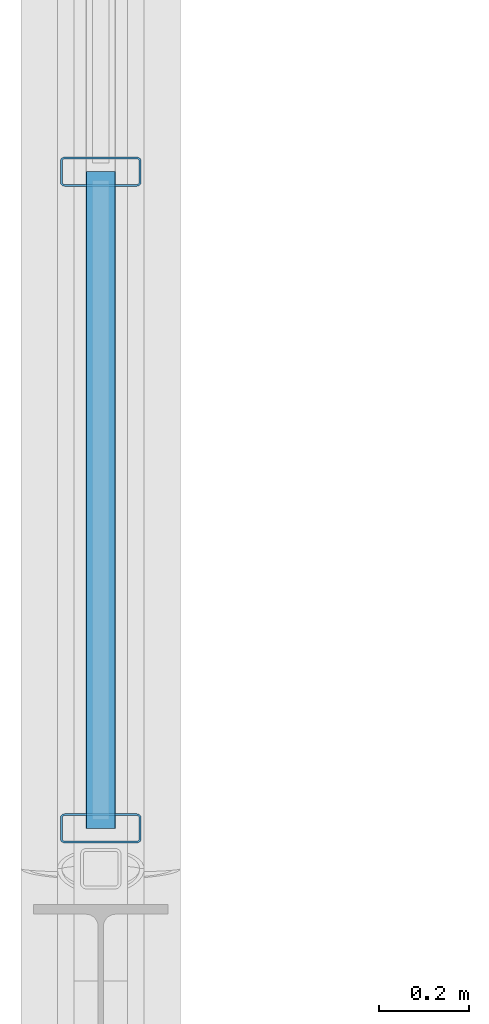
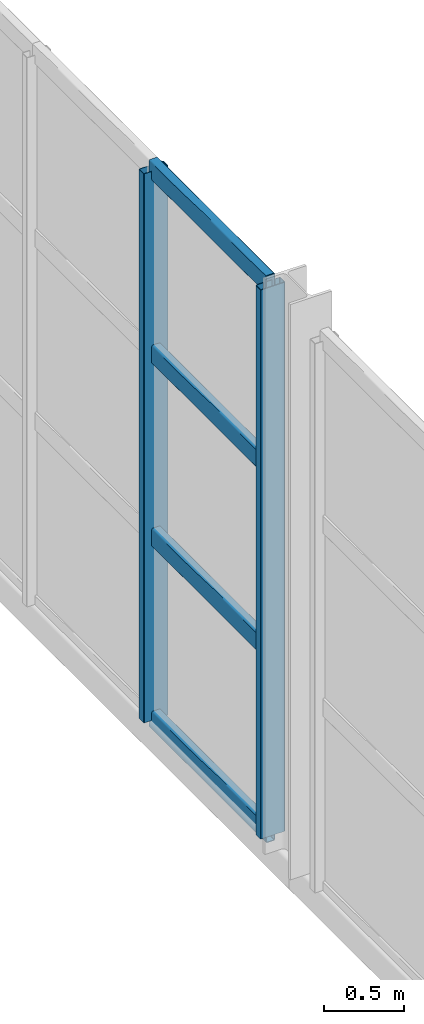
# One storey, part 29 of 153: 6 members, 1 element without a shape of its own.
"""IFC4 building model written with IfcOpenShell, lengths in metres."""

from ifc_helpers import new_model, si_unit, derived_unit, direction, frame, origin, origin_2d, place, context, subcontext, project, spatial, hollow_rectangle, extrude, material, material_profile, profile_set, type_object, element, aggregate, save


model = new_model("IFC4")

# Units and contexts
model_context = context("Model", 3, precision=1e-05, world=origin(), true_north=direction((0.0, 1.0)))
body_context = subcontext(model_context, "Body", "Model", "MODEL_VIEW")
ifc_project = project(units=[si_unit("LENGTHUNIT", "METRE"), si_unit("AREAUNIT", "SQUARE_METRE"), si_unit("VOLUMEUNIT", "CUBIC_METRE"), si_unit("PLANEANGLEUNIT", "RADIAN"), si_unit("MASSUNIT", "GRAM", prefix="KILO"), derived_unit("THERMALTRANSMITTANCEUNIT", [(si_unit("POWERUNIT", "WATT"), 1), (si_unit("LENGTHUNIT", "METRE"), -2), (si_unit("THERMODYNAMICTEMPERATUREUNIT", "KELVIN"), -1)])], contexts=[model_context])

# Site, building, storey
site_placement = place(None, origin())
site = spatial("IfcSite", under=ifc_project, at=site_placement, CompositionType="ELEMENT")
building_placement = place(site_placement, origin())
building = spatial("IfcBuilding", under=site, at=building_placement, Name="Keldorne Ridge Multi-Sports Centre", CompositionType="ELEMENT")
storey_placement = place(building_placement, frame((0.0, 0.0, 9.60009765625)))
storey = spatial("IfcBuildingStorey", under=building, at=storey_placement, Name="L02", CompositionType="ELEMENT", Elevation=9.60009765625)

# Curtain wall, members
ifc_material = material(Name="Anodized aluminium", Category="aluminium")
curtain_wall_type = type_object("IfcCurtainWallType", Name="CW-CW-07", PredefinedType="NOTDEFINED", material=ifc_material)
curtain_wall_placement = place(storey_placement, origin())
curtain_wall = element("IfcCurtainWall", 1, at=curtain_wall_placement, inside=storey, type_object=curtain_wall_type, Name="Main Hall west high gable glazing 031", PredefinedType="NOTDEFINED")
ifc_material_profile_1 = material_profile(ifc_material, hollow_rectangle(XDim=0.06494140625, YDim=0.179931640625, WallThickness=0.00439453125, InnerFilletRadius=0.00439453125, OuterFilletRadius=0.009033203125, at=origin_2d()), Name="ALU MULLION 180x65x4.5")
ifc_profile_set_1 = profile_set([ifc_material_profile_1], Name="Anodized aluminium")
member_type_1 = type_object("IfcMemberType", Name="MEM-ML-01", PredefinedType="MULLION", material=ifc_profile_set_1)
member_1_placement = place(storey_placement, frame((6.0, 27.803955078125, 0.0), z_axis=(0.0, 0.0, 1.0), x_axis=(0.0, 1.0, 0.0)))
member_1 = element("IfcMember", 2, at=member_1_placement, type_object=member_type_1, Name="CW-031 vertical mullion 5", PredefinedType="MULLION", context=body_context, shape_type="SweptSolid", body=[
    extrude(hollow_rectangle(XDim=0.06494140625, YDim=0.179931640625, WallThickness=0.00439453125, InnerFilletRadius=0.00439453125, OuterFilletRadius=0.009033203125, at=origin_2d()), origin(), (0.0, 0.0, 1.0), 4.199951171875),
])
member_2_placement = place(storey_placement, frame((6.0, 26.340087890625, 0.0), z_axis=(0.0, 0.0, 1.0), x_axis=(0.0, 1.0, 0.0)))
member_2 = element("IfcMember", 3, at=member_2_placement, type_object=member_type_1, Name="CW-031 vertical mullion 6", PredefinedType="MULLION", context=body_context, shape_type="SweptSolid", body=[
    extrude(hollow_rectangle(XDim=0.06494140625, YDim=0.179931640625, WallThickness=0.00439453125, InnerFilletRadius=0.00439453125, OuterFilletRadius=0.009033203125, at=origin_2d()), origin(), (0.0, 0.0, 1.0), 4.199951171875),
])
ifc_material_profile_2 = material_profile(ifc_material, hollow_rectangle(XDim=0.06494140625, YDim=0.139892578125, WallThickness=0.00439453125, InnerFilletRadius=0.00439453125, OuterFilletRadius=0.009033203125, at=origin_2d()), Name="ALU TRANSOM 140x65x4.5")
ifc_profile_set_2 = profile_set([ifc_material_profile_2], Name="Anodized aluminium")
member_type_2 = type_object("IfcMemberType", Name="MEM-TR-01", PredefinedType="USERDEFINED", material=ifc_profile_set_2)
member_3_placement = place(storey_placement, frame((6.0, 27.803955078125, 0.0), z_axis=(0.0, -1.0, 0.0), x_axis=(1.0, 0.0, 0.0)))
member_3 = element("IfcMember", 4, at=member_3_placement, type_object=member_type_2, Name="CW-031 transom 5.1", ObjectType="TRANSOM", PredefinedType="USERDEFINED", context=body_context, shape_type="SweptSolid", body=[
    extrude(hollow_rectangle(XDim=0.06494140625, YDim=0.139892578125, WallThickness=0.00439453125, InnerFilletRadius=0.00439453125, OuterFilletRadius=0.009033203125, at=origin_2d()), origin(), (0.0, 0.0, 1.0), 1.4638671875),
])
member_4_placement = place(storey_placement, frame((6.0, 27.803955078125, 1.39990234375), z_axis=(0.0, -1.0, 0.0), x_axis=(1.0, 0.0, 0.0)))
member_4 = element("IfcMember", 5, at=member_4_placement, type_object=member_type_2, Name="CW-031 transom 5.2", ObjectType="TRANSOM", PredefinedType="USERDEFINED", context=body_context, shape_type="SweptSolid", body=[
    extrude(hollow_rectangle(XDim=0.06494140625, YDim=0.139892578125, WallThickness=0.00439453125, InnerFilletRadius=0.00439453125, OuterFilletRadius=0.009033203125, at=origin_2d()), origin(), (0.0, 0.0, 1.0), 1.4638671875),
])
member_5_placement = place(storey_placement, frame((6.0, 27.803955078125, 2.7998046875), z_axis=(0.0, -1.0, 0.0), x_axis=(1.0, 0.0, 0.0)))
member_5 = element("IfcMember", 6, at=member_5_placement, type_object=member_type_2, Name="CW-031 transom 5.3", ObjectType="TRANSOM", PredefinedType="USERDEFINED", context=body_context, shape_type="SweptSolid", body=[
    extrude(hollow_rectangle(XDim=0.06494140625, YDim=0.139892578125, WallThickness=0.00439453125, InnerFilletRadius=0.00439453125, OuterFilletRadius=0.009033203125, at=origin_2d()), origin(), (0.0, 0.0, 1.0), 1.4638671875),
])
member_6_placement = place(storey_placement, frame((6.0, 27.803955078125, 4.199951171875), z_axis=(0.0, -1.0, 0.0), x_axis=(1.0, 0.0, 0.0)))
member_6 = element("IfcMember", 7, at=member_6_placement, type_object=member_type_2, Name="CW-031 transom 5.4", ObjectType="TRANSOM", PredefinedType="USERDEFINED", context=body_context, shape_type="SweptSolid", body=[
    extrude(hollow_rectangle(XDim=0.06494140625, YDim=0.139892578125, WallThickness=0.00439453125, InnerFilletRadius=0.00439453125, OuterFilletRadius=0.009033203125, at=origin_2d()), origin(), (0.0, 0.0, 1.0), 1.4638671875),
])
aggregate(curtain_wall, [member_1, member_2, member_3, member_4, member_5, member_6])

save(model, "model.ifc")
